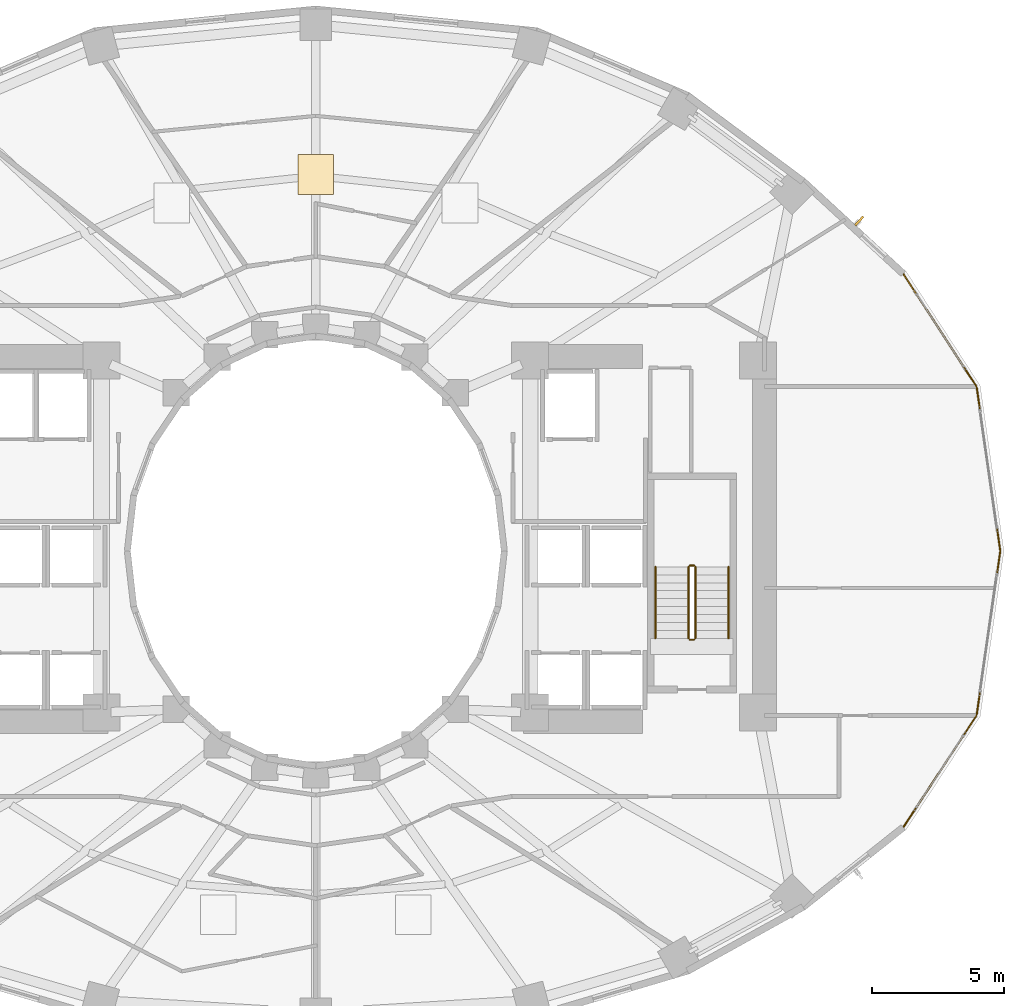
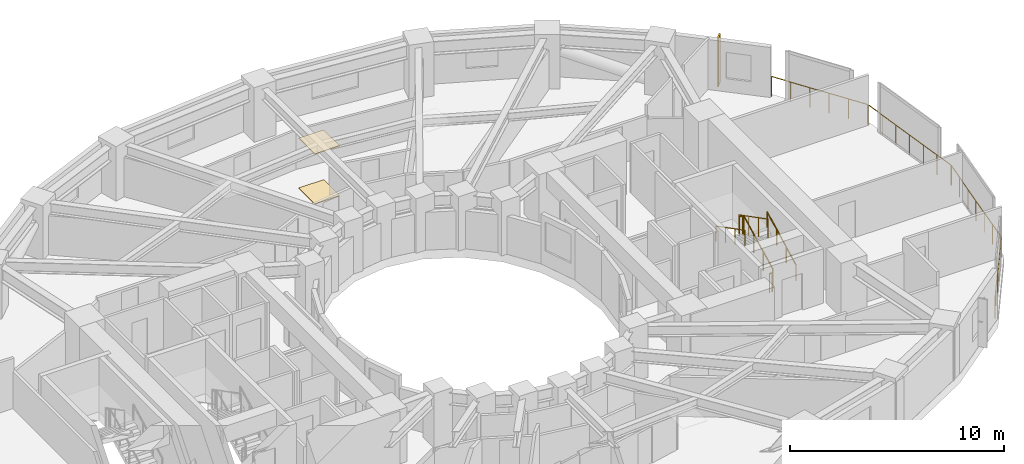
# One storey, part 14 of 14: 10 railings, 2 coverings, 1 shading device.
"""IFC4 building model written with IfcOpenShell, lengths in metres."""

from ifc_helpers import new_model, si_unit, direction, frame, origin, origin_2d, place, context, subcontext, project, spatial, polyline, rectangle, circle, outline, extrude, material, layer, layer_set, type_object, element, save


model = new_model("IFC4")

# Units and contexts
model_context = context("Model", 3, precision=1e-05, world=origin(), true_north=direction((0.0, 1.0)))
body_context = subcontext(model_context, "Body", "Model", "MODEL_VIEW")
ifc_project = project(units=[si_unit("LENGTHUNIT", "METRE"), si_unit("AREAUNIT", "SQUARE_METRE"), si_unit("VOLUMEUNIT", "CUBIC_METRE"), si_unit("PLANEANGLEUNIT", "RADIAN"), si_unit("MASSUNIT", "GRAM", prefix="KILO")], contexts=[model_context])

# Site, building, storey
site_placement = place(None, origin())
site = spatial("IfcSite", under=ifc_project, at=site_placement, CompositionType="ELEMENT")
building_placement = place(site_placement, origin())
building = spatial("IfcBuilding", under=site, at=building_placement, Name="Solvane Sanctuary Tower", CompositionType="ELEMENT")
storey_placement = place(building_placement, frame((0.0, 0.0, 36.89990234375)))
storey = spatial("IfcBuildingStorey", under=building, at=storey_placement, Name="L10", CompositionType="ELEMENT", Elevation=36.89990234375)

# Coverings
ifc_material_1 = material(Name="Acoustic Gypsum Partition Board")
ifc_layer_1 = layer(ifc_material_1, 0.02490234375, Name="Acoustic Gypsum Partition Board")
ifc_layer_set_1 = layer_set([ifc_layer_1], Name="Acoustic Gypsum Partition Board")
covering_type_1 = type_object("IfcCoveringType", Name="Covering CLG-ACOUST", PredefinedType="CEILING", material=ifc_layer_set_1)
covering_1_placement = place(storey_placement, frame((0.0, 0.0, 2.85009765625)))
element("IfcCovering", 1, at=covering_1_placement, inside=storey, type_object=covering_type_1, Name="L10 Unit Acoustic Ceiling Panel 2", PredefinedType="CEILING", context=body_context, shape_type="SweptSolid", body=[
    extrude(outline(polyline([(31.324951171875, 36.47998046875), (32.675048828125, 36.47998046875), (32.675048828125, 37.97998046875), (31.324951171875, 37.97998046875), (31.324951171875, 36.47998046875)])), origin(), (0.0, 0.0, 1.0), 0.030029296875),
])
ifc_material_2 = material(Name="Ceramic Tile Finish")
ifc_layer_2 = layer(ifc_material_2, 0.030029296875, Name="Ceramic Tile Finish")
ifc_layer_set_2 = layer_set([ifc_layer_2], Name="Ceramic Tile Finish")
covering_type_2 = type_object("IfcCoveringType", Name="Covering FLR-TERRAZZO", PredefinedType="FLOORING", material=ifc_layer_set_2)
covering_2_placement = place(storey_placement, origin())
element("IfcCovering", 2, at=covering_2_placement, inside=storey, type_object=covering_type_2, Name="L10 Unit Terrazzo Inlay 2", PredefinedType="FLOORING", context=body_context, shape_type="SweptSolid", body=[
    extrude(outline(polyline([(31.324951171875, 36.47998046875), (32.675048828125, 36.47998046875), (32.675048828125, 37.97998046875), (31.324951171875, 37.97998046875), (31.324951171875, 36.47998046875)])), origin(), (0.0, 0.0, 1.0), 0.03515625),
])

# Railings
ifc_material_3 = material(Name="Architectural Stainless Steel 316", Category="steel")
railing_type_1 = type_object("IfcRailingType", Name="Railing GR-BALC-1150", PredefinedType="BALUSTRADE", material=ifc_material_3)
railing_1_placement = place(storey_placement, frame((57.855712890625, 23.02978515625, 0.0)))
element("IfcRailing", 3, at=railing_1_placement, inside=storey, type_object=railing_type_1, Name="L10 Curtain-Wall Perimeter Sill Guard 00", PredefinedType="BALUSTRADE", context=body_context, shape_type="SweptSolid", body=[
    extrude(circle(Radius=0.02392578125, at=origin_2d()), frame((0.0, 0.0, 1.1259765625), z_axis=(-0.142533222758, 0.989790018342, 0.0), x_axis=(-0.989790018342, -0.142533222758, 0.0)), (0.0, 0.0, 1.0), 6.209228515625),
    extrude(circle(Radius=0.02099609375, at=origin_2d()), origin(), (0.0, 0.0, 1.0), 1.101806640625),
    extrude(circle(Radius=0.02099609375, at=origin_2d()), frame((-0.1474609375, 1.0244140625, 0.0)), (0.0, 0.0, 1.0), 1.101806640625),
    extrude(circle(Radius=0.02099609375, at=origin_2d()), frame((-0.294921875, 2.048583984375, 0.0)), (0.0, 0.0, 1.0), 1.101806640625),
    extrude(circle(Radius=0.02099609375, at=origin_2d()), frame((-0.4423828125, 3.07275390625, 0.0)), (0.0, 0.0, 1.0), 1.101806640625),
    extrude(circle(Radius=0.02099609375, at=origin_2d()), frame((-0.590087890625, 4.09716796875, 0.0)), (0.0, 0.0, 1.0), 1.101806640625),
    extrude(circle(Radius=0.02099609375, at=origin_2d()), frame((-0.737548828125, 5.12158203125, 0.0)), (0.0, 0.0, 1.0), 1.101806640625),
    extrude(circle(Radius=0.02099609375, at=origin_2d()), frame((-0.885009765625, 6.145751953125, 0.0)), (0.0, 0.0, 1.0), 1.101806640625),
])
railing_2_placement = place(storey_placement, frame((56.9501953125, 29.23046875, 0.0)))
element("IfcRailing", 4, at=railing_2_placement, inside=storey, type_object=railing_type_1, Name="L10 Curtain-Wall Perimeter Sill Guard 01", PredefinedType="BALUSTRADE", context=body_context, shape_type="SweptSolid", body=[
    extrude(circle(Radius=0.02392578125, at=origin_2d()), frame((0.0, 0.0, 1.1259765625), z_axis=(-0.54457042474, 0.838715119989, 0.0), x_axis=(-0.838715119989, -0.54457042474, 0.0)), (0.0, 0.0, 1.0), 5.031494140625),
    extrude(circle(Radius=0.02099609375, at=origin_2d()), origin(), (0.0, 0.0, 1.0), 1.101806640625),
    extrude(circle(Radius=0.02099609375, at=origin_2d()), frame((-0.548095703125, 0.843994140625, 0.0)), (0.0, 0.0, 1.0), 1.101806640625),
    extrude(circle(Radius=0.02099609375, at=origin_2d()), frame((-1.095947265625, 1.68798828125, 0.0)), (0.0, 0.0, 1.0), 1.101806640625),
    extrude(circle(Radius=0.02099609375, at=origin_2d()), frame((-1.64404296875, 2.531982421875, 0.0)), (0.0, 0.0, 1.0), 1.101806640625),
    extrude(circle(Radius=0.02099609375, at=origin_2d()), frame((-2.19189453125, 3.3759765625, 0.0)), (0.0, 0.0, 1.0), 1.101806640625),
    extrude(circle(Radius=0.02099609375, at=origin_2d()), frame((-2.739990234375, 4.219970703125, 0.0)), (0.0, 0.0, 1.0), 1.101806640625),
])
railing_3_placement = place(storey_placement, frame((54.210205078125, 12.583984375, 0.0)))
element("IfcRailing", 5, at=railing_3_placement, inside=storey, type_object=railing_type_1, Name="L10 Curtain-Wall Perimeter Sill Guard 22", PredefinedType="BALUSTRADE", context=body_context, shape_type="SweptSolid", body=[
    extrude(circle(Radius=0.02392578125, at=origin_2d()), frame((0.0, 0.0, 1.1259765625), z_axis=(0.547709489546, 0.836668581376, 0.0), x_axis=(-0.836668581376, 0.547709489546, 0.0)), (0.0, 0.0, 1.0), 5.002685546875),
    extrude(circle(Radius=0.02099609375, at=origin_2d()), origin(), (0.0, 0.0, 1.0), 1.101806640625),
    extrude(circle(Radius=0.02099609375, at=origin_2d()), frame((0.548095703125, 0.837158203125, 0.0)), (0.0, 0.0, 1.0), 1.101806640625),
    extrude(circle(Radius=0.02099609375, at=origin_2d()), frame((1.095947265625, 1.67431640625, 0.0)), (0.0, 0.0, 1.0), 1.101806640625),
    extrude(circle(Radius=0.02099609375, at=origin_2d()), frame((1.64404296875, 2.51123046875, 0.0)), (0.0, 0.0, 1.0), 1.101806640625),
    extrude(circle(Radius=0.02099609375, at=origin_2d()), frame((2.19189453125, 3.348388671875, 0.0)), (0.0, 0.0, 1.0), 1.101806640625),
    extrude(circle(Radius=0.02099609375, at=origin_2d()), frame((2.739990234375, 4.185546875, 0.0)), (0.0, 0.0, 1.0), 1.101806640625),
])
railing_4_placement = place(storey_placement, frame((56.970703125, 16.824462890625, 0.0)))
element("IfcRailing", 6, at=railing_4_placement, inside=storey, type_object=railing_type_1, Name="L10 Curtain-Wall Perimeter Sill Guard 23", PredefinedType="BALUSTRADE", context=body_context, shape_type="SweptSolid", body=[
    extrude(circle(Radius=0.02392578125, at=origin_2d()), frame((0.0, 0.0, 1.1259765625), z_axis=(0.142533222758, 0.989790018342, 0.0), x_axis=(-0.989790018342, 0.142533222758, 0.0)), (0.0, 0.0, 1.0), 6.209228515625),
    extrude(circle(Radius=0.02099609375, at=origin_2d()), origin(), (0.0, 0.0, 1.0), 1.101806640625),
    extrude(circle(Radius=0.02099609375, at=origin_2d()), frame((0.1474609375, 1.0244140625, 0.0)), (0.0, 0.0, 1.0), 1.101806640625),
    extrude(circle(Radius=0.02099609375, at=origin_2d()), frame((0.294921875, 2.048583984375, 0.0)), (0.0, 0.0, 1.0), 1.101806640625),
    extrude(circle(Radius=0.02099609375, at=origin_2d()), frame((0.4423828125, 3.07275390625, 0.0)), (0.0, 0.0, 1.0), 1.101806640625),
    extrude(circle(Radius=0.02099609375, at=origin_2d()), frame((0.590087890625, 4.09716796875, 0.0)), (0.0, 0.0, 1.0), 1.101806640625),
    extrude(circle(Radius=0.02099609375, at=origin_2d()), frame((0.737548828125, 5.12158203125, 0.0)), (0.0, 0.0, 1.0), 1.101806640625),
    extrude(circle(Radius=0.02099609375, at=origin_2d()), frame((0.885009765625, 6.145751953125, 0.0)), (0.0, 0.0, 1.0), 1.101806640625),
])
railing_5_placement = place(storey_placement, frame((46.340087890625, 19.699951171875, 0.155029296875)))
element("IfcRailing", 7, at=railing_5_placement, inside=storey, type_object=railing_type_1, Name="L10 ST-2 stair guard 1", PredefinedType="BALUSTRADE", context=body_context, shape_type="SweptSolid", body=[
    extrude(circle(Radius=0.02392578125, at=origin_2d()), frame((0.0, 0.0, 1.076171875), z_axis=(0.0, 0.888419900624, 0.459031676658), x_axis=(-1.0, 0.0, 0.0)), (0.0, 0.0, 1.0), 3.0390625),
    extrude(circle(Radius=0.02099609375, at=origin_2d()), origin(), (0.0, 0.0, 1.0), 1.052001953125),
    extrude(circle(Radius=0.02099609375, at=origin_2d()), frame((0.0, 0.89990234375, 0.465087890625)), (0.0, 0.0, 1.0), 1.052001953125),
    extrude(circle(Radius=0.02099609375, at=origin_2d()), frame((0.0, 1.800048828125, 0.929931640625)), (0.0, 0.0, 1.0), 1.052001953125),
    extrude(circle(Radius=0.02099609375, at=origin_2d()), frame((0.0, 2.699951171875, 1.39501953125)), (0.0, 0.0, 1.0), 1.052001953125),
])
railing_6_placement = place(storey_placement, frame((46.2900390625, 22.449951171875, 1.550048828125)))
element("IfcRailing", 8, at=railing_6_placement, inside=storey, type_object=railing_type_1, Name="L10 ST-2 stair guard 2", PredefinedType="BALUSTRADE", context=body_context, shape_type="SweptSolid", body=[
    extrude(circle(Radius=0.02392578125, at=origin_2d()), frame((0.0, 0.0, 1.076171875), z_axis=(-1.0, 0.0, 0.0), x_axis=(0.0, -1.0, 0.0)), (0.0, 0.0, 1.0), 0.16015625),
    extrude(circle(Radius=0.02099609375, at=origin_2d()), origin(), (0.0, 0.0, 1.0), 1.052001953125),
    extrude(circle(Radius=0.02099609375, at=origin_2d()), frame((-0.16015625, 0.0, 0.0)), (0.0, 0.0, 1.0), 1.052001953125),
])
railing_7_placement = place(storey_placement, frame((46.080078125, 22.39990234375, 1.705078125)))
element("IfcRailing", 9, at=railing_7_placement, inside=storey, type_object=railing_type_1, Name="L10 ST-2 stair guard 3", PredefinedType="BALUSTRADE", context=body_context, shape_type="SweptSolid", body=[
    extrude(circle(Radius=0.02392578125, at=origin_2d()), frame((0.0, 0.0, 1.076171875), z_axis=(0.0, -0.888419900624, 0.459031676658), x_axis=(1.0, 0.0, 0.0)), (0.0, 0.0, 1.0), 3.0390625),
    extrude(circle(Radius=0.02099609375, at=origin_2d()), origin(), (0.0, 0.0, 1.0), 1.052001953125),
    extrude(circle(Radius=0.02099609375, at=origin_2d()), frame((0.0, -0.89990234375, 0.465087890625)), (0.0, 0.0, 1.0), 1.052001953125),
    extrude(circle(Radius=0.02099609375, at=origin_2d()), frame((0.0, -1.800048828125, 0.929931640625)), (0.0, 0.0, 1.0), 1.052001953125),
    extrude(circle(Radius=0.02099609375, at=origin_2d()), frame((0.0, -2.699951171875, 1.39501953125)), (0.0, 0.0, 1.0), 1.052001953125),
])
railing_8_placement = place(storey_placement, frame((46.2900390625, 19.64990234375, 0.0)))
element("IfcRailing", 10, at=railing_8_placement, inside=storey, type_object=railing_type_1, Name="L10 ST-2 stair guard 4", PredefinedType="BALUSTRADE", context=body_context, shape_type="SweptSolid", body=[
    extrude(circle(Radius=0.02392578125, at=origin_2d()), frame((0.0, 0.0, 1.076171875), z_axis=(-1.0, 0.0, 0.0), x_axis=(0.0, -1.0, 0.0)), (0.0, 0.0, 1.0), 0.16015625),
    extrude(circle(Radius=0.02099609375, at=origin_2d()), origin(), (0.0, 0.0, 1.0), 1.052001953125),
    extrude(circle(Radius=0.02099609375, at=origin_2d()), frame((-0.16015625, 0.0, 0.0)), (0.0, 0.0, 1.0), 1.052001953125),
])
railing_type_2 = type_object("IfcRailingType", Name="Railing HR-STAIR-920", PredefinedType="HANDRAIL", material=ifc_material_3)
railing_9_placement = place(storey_placement, frame((47.590087890625, 19.699951171875, 0.155029296875)))
element("IfcRailing", 11, at=railing_9_placement, inside=storey, type_object=railing_type_2, Name="L10 ST-2 stair handrail 1", PredefinedType="HANDRAIL", context=body_context, shape_type="SweptSolid", body=[
    extrude(circle(Radius=0.02392578125, at=origin_2d()), frame((0.0, 0.0, 0.8759765625), z_axis=(0.0, 0.888419900624, 0.459031676658), x_axis=(-1.0, 0.0, 0.0)), (0.0, 0.0, 1.0), 3.0390625),
    extrude(circle(Radius=0.02099609375, at=origin_2d()), origin(), (0.0, 0.0, 1.0), 0.851806640625),
    extrude(circle(Radius=0.02099609375, at=origin_2d()), frame((0.0, 0.89990234375, 0.465087890625)), (0.0, 0.0, 1.0), 0.851806640625),
    extrude(circle(Radius=0.02099609375, at=origin_2d()), frame((0.0, 1.800048828125, 0.929931640625)), (0.0, 0.0, 1.0), 0.851806640625),
    extrude(circle(Radius=0.02099609375, at=origin_2d()), frame((0.0, 2.699951171875, 1.39501953125)), (0.0, 0.0, 1.0), 0.851806640625),
])
railing_10_placement = place(storey_placement, frame((44.830078125, 22.39990234375, 1.705078125)))
element("IfcRailing", 12, at=railing_10_placement, inside=storey, type_object=railing_type_2, Name="L10 ST-2 stair handrail 2", PredefinedType="HANDRAIL", context=body_context, shape_type="SweptSolid", body=[
    extrude(circle(Radius=0.02392578125, at=origin_2d()), frame((0.0, 0.0, 0.8759765625), z_axis=(0.0, -0.888419900624, 0.459031676658), x_axis=(1.0, 0.0, 0.0)), (0.0, 0.0, 1.0), 3.0390625),
    extrude(circle(Radius=0.02099609375, at=origin_2d()), origin(), (0.0, 0.0, 1.0), 0.851806640625),
    extrude(circle(Radius=0.02099609375, at=origin_2d()), frame((0.0, -0.89990234375, 0.465087890625)), (0.0, 0.0, 1.0), 0.851806640625),
    extrude(circle(Radius=0.02099609375, at=origin_2d()), frame((0.0, -1.800048828125, 0.929931640625)), (0.0, 0.0, 1.0), 0.851806640625),
    extrude(circle(Radius=0.02099609375, at=origin_2d()), frame((0.0, -2.699951171875, 1.39501953125)), (0.0, 0.0, 1.0), 0.851806640625),
])

# Shading device
ifc_material_4 = material(Name="Anodised Aluminium 6063-T6", Category="aluminium")
ifc_layer_3 = layer(ifc_material_4, 0.080078125, Name="Anodised Aluminium 6063-T6")
ifc_layer_set_3 = layer_set([ifc_layer_3], Name="Anodised Aluminium 6063-T6")
shading_device_type = type_object("IfcShadingDeviceType", Name="Shading SHD-FIN", PredefinedType="USERDEFINED", material=ifc_layer_set_3)
shading_device_placement = place(storey_placement, frame((52.529541015625, 35.47021484375, 0.050048828125), z_axis=(0.0, 0.0, 1.0), x_axis=(-0.735656279624, 0.677355031168, 0.0)))
element("IfcShadingDevice", 13, at=shading_device_placement, inside=storey, type_object=shading_device_type, Name="L10 Aerodynamic Vertical Fin 02", ObjectType="FIN", PredefinedType="USERDEFINED", context=body_context, shape_type="SweptSolid", body=[
    extrude(rectangle(XDim=0.080078125, YDim=0.449951171875, at=origin_2d()), origin(), (0.0, 0.0, 1.0), 2.75),
])

save(model, "model.ifc")
